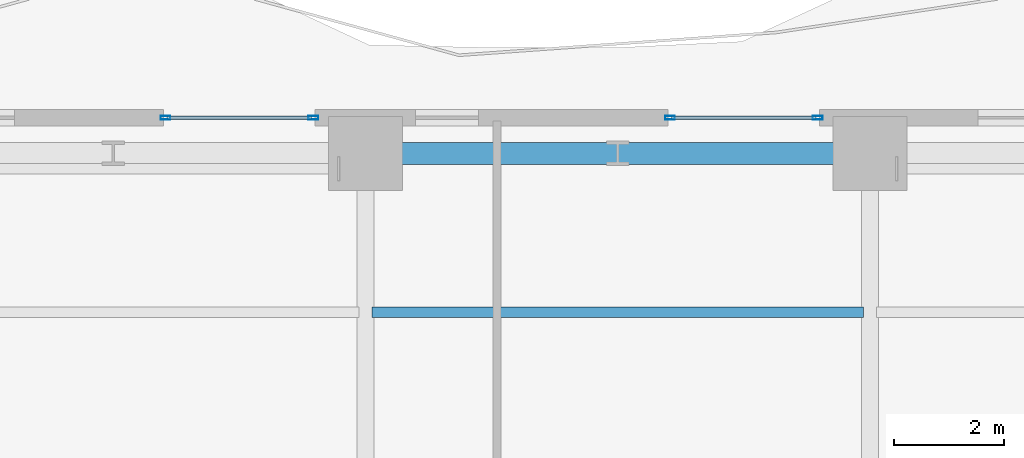
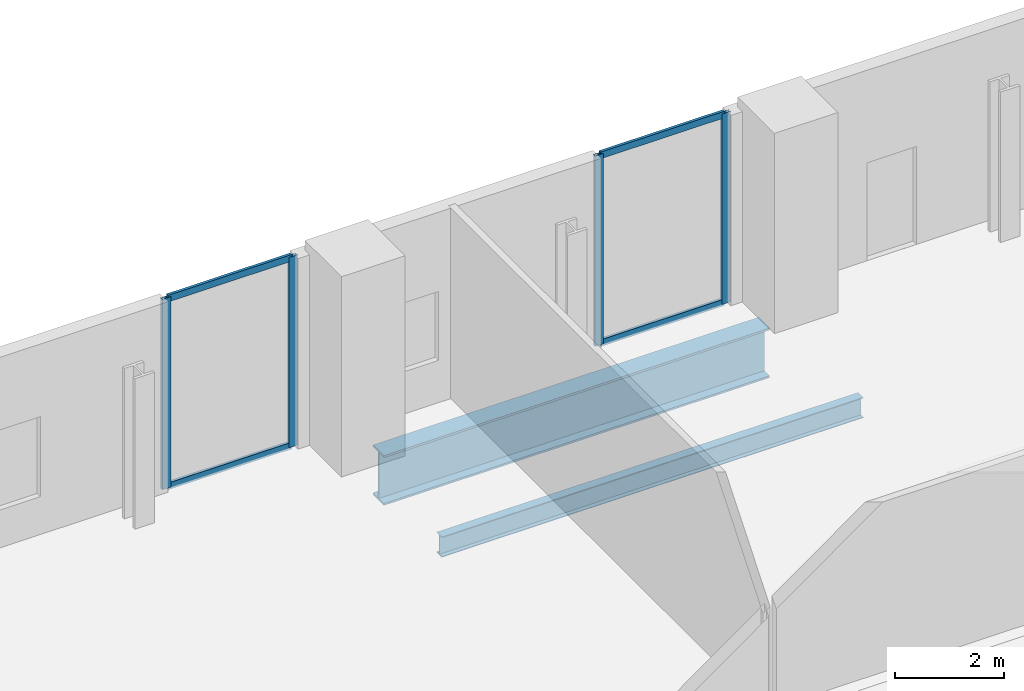
# One storey, part 20 of 33: 8 members, 2 beams, 2 elements without a shape of their own.
"""IFC4 building model written with IfcOpenShell, lengths in metres."""

from ifc_helpers import new_model, si_unit, direction, frame, origin, origin_2d, place, context, subcontext, project, spatial, hollow_rectangle, i_section, extrude, material, layer, layer_set, material_profile, profile_set, type_object, element, aggregate, save


model = new_model("IFC4")

# Units and contexts
model_context = context("Model", 3, precision=1e-05, world=origin(), true_north=direction((0.0, 1.0)))
body_context = subcontext(model_context, "Body", "Model", "MODEL_VIEW")
ifc_project = project(units=[si_unit("LENGTHUNIT", "METRE"), si_unit("AREAUNIT", "SQUARE_METRE"), si_unit("VOLUMEUNIT", "CUBIC_METRE"), si_unit("PLANEANGLEUNIT", "RADIAN"), si_unit("MASSUNIT", "GRAM", prefix="KILO")], contexts=[model_context])

# Site, building, storey
site_placement = place(None, origin())
site = spatial("IfcSite", under=ifc_project, at=site_placement, CompositionType="ELEMENT")
building_placement = place(site_placement, origin())
building = spatial("IfcBuilding", under=site, at=building_placement, Name="Zuhayl Quay Hotel", CompositionType="ELEMENT")
storey_placement = place(building_placement, frame((0.0, 0.0, 154.050048828125)))
storey = spatial("IfcBuildingStorey", under=building, at=storey_placement, Name="L39", CompositionType="ELEMENT", Elevation=154.050048828125)

# Beams
ifc_material_1 = material(Name="Steel ASTM A992 Grade 50", Category="steel")
ifc_material_profile_1 = material_profile(ifc_material_1, i_section(OverallWidth=0.18994140625, OverallDepth=0.45703125, WebThickness=0.009033203125, FlangeThickness=0.014404296875, at=origin_2d()), Name="W18X50")
ifc_profile_set_1 = profile_set([ifc_material_profile_1], Name="Steel ASTM A992 Grade 50")
beam_type_1 = type_object("IfcBeamType", Name="BM_J2_W18X50", PredefinedType="JOIST", material=ifc_profile_set_1)
beam_1_placement = place(storey_placement, frame((-4.48095703125, 24.85009765625, -0.448486328125), z_axis=(1.0, 0.0, 0.0), x_axis=(0.0, 1.0, 0.0)))
element("IfcBeam", 1, at=beam_1_placement, inside=storey, type_object=beam_type_1, Name="L39 Floor Beam FJ_L39_4_2", PredefinedType="JOIST", context=body_context, shape_type="SweptSolid", body=[
    extrude(i_section(OverallWidth=0.18994140625, OverallDepth=0.45703125, WebThickness=0.009033203125, FlangeThickness=0.014404296875, at=origin_2d()), origin(), (0.0, 0.0, 1.0), 8.9619140625),
])
ifc_material_2 = material(Name="Steel ASTM A913 Grade 65", Category="steel")
ifc_material_profile_2 = material_profile(ifc_material_2, i_section(OverallWidth=0.404052734375, OverallDepth=1.117919921875, WebThickness=0.026123046875, FlangeThickness=0.044921875, at=origin_2d()), Name="W44X335")
ifc_profile_set_2 = profile_set([ifc_material_profile_2], Name="Steel ASTM A913 Grade 65")
beam_type_2 = type_object("IfcBeamType", Name="BM_TG1_W44X335", PredefinedType="BEAM", material=ifc_profile_set_2)
beam_2_placement = place(storey_placement, frame((4.10009765625, 27.75, -0.779052734375), z_axis=(-1.0, 0.0, 0.0), x_axis=(0.0, -1.0, 0.0)))
element("IfcBeam", 2, at=beam_2_placement, inside=storey, type_object=beam_type_2, Name="L39 Floor Beam RG_L39_08", PredefinedType="BEAM", context=body_context, shape_type="SweptSolid", body=[
    extrude(i_section(OverallWidth=0.404052734375, OverallDepth=1.117919921875, WebThickness=0.026123046875, FlangeThickness=0.044921875, at=origin_2d()), origin(), (0.0, 0.0, 1.0), 8.2001953125),
])

# Curtain wall, members
ifc_material_3 = material(Name="Anodised Aluminium 6063-T6", Category="aluminium")
ifc_layer = layer(ifc_material_3, 0.179931640625, Name="Anodised Aluminium 6063-T6", Category="aluminium")
ifc_layer_set = layer_set([ifc_layer], Name="Anodised Aluminium 6063-T6")
curtain_wall_type = type_object("IfcCurtainWallType", Name="CW_SYS_Z2", PredefinedType="USERDEFINED", material=ifc_layer_set)
curtain_wall_1_placement = place(storey_placement, origin())
curtain_wall_1 = element("IfcCurtainWall", 3, at=curtain_wall_1_placement, inside=storey, type_object=curtain_wall_type, Name="L39 Curtain Wall ENV_L39_N_CW2", ObjectType="UNITISED CURTAIN WALL", PredefinedType="USERDEFINED")
ifc_material_4 = material(Name="Black-anodised aluminium 6063-T6", Category="aluminium")
ifc_material_profile_3 = material_profile(ifc_material_4, hollow_rectangle(XDim=0.06494140625, YDim=0.179931640625, WallThickness=0.00341796875, at=origin_2d()), Name="ALU180X65")
ifc_profile_set_3 = profile_set([ifc_material_profile_3], Name="Black-anodised aluminium 6063-T6")
member_type_1 = type_object("IfcMemberType", Name="MB_CW_MUL_180", PredefinedType="MULLION", material=ifc_profile_set_3)
member_1_placement = place(storey_placement, frame((-8.24755859375, 28.39990234375, 0.0), z_axis=(0.0, 0.0, 1.0), x_axis=(0.0, 1.0, 0.0)))
member_1 = element("IfcMember", 4, at=member_1_placement, type_object=member_type_1, Name="CW-Z2 mullion 1", PredefinedType="MULLION", context=body_context, shape_type="SweptSolid", body=[
    extrude(hollow_rectangle(XDim=0.06494140625, YDim=0.179931640625, WallThickness=0.00341796875, at=origin_2d()), origin(), (0.0, 0.0, 1.0), 4.280029296875),
])
member_2_placement = place(storey_placement, frame((-5.552490234375, 28.39990234375, 0.0), z_axis=(0.0, 0.0, 1.0), x_axis=(0.0, 1.0, 0.0)))
member_2 = element("IfcMember", 5, at=member_2_placement, type_object=member_type_1, Name="CW-Z2 mullion 2", PredefinedType="MULLION", context=body_context, shape_type="SweptSolid", body=[
    extrude(hollow_rectangle(XDim=0.06494140625, YDim=0.179931640625, WallThickness=0.00341796875, at=origin_2d()), origin(), (0.0, 0.0, 1.0), 4.280029296875),
])

curtain_wall_2_placement = place(storey_placement, origin())
curtain_wall_2 = element("IfcCurtainWall", 6, at=curtain_wall_2_placement, inside=storey, type_object=curtain_wall_type, Name="L39 Curtain Wall ENV_L39_N_CW3", ObjectType="UNITISED CURTAIN WALL", PredefinedType="USERDEFINED")
member_3_placement = place(storey_placement, frame((0.952392578125, 28.39990234375, 0.0), z_axis=(0.0, 0.0, 1.0), x_axis=(0.0, 1.0, 0.0)))
member_3 = element("IfcMember", 7, at=member_3_placement, type_object=member_type_1, Name="CW-Z2 mullion 1", PredefinedType="MULLION", context=body_context, shape_type="SweptSolid", body=[
    extrude(hollow_rectangle(XDim=0.06494140625, YDim=0.179931640625, WallThickness=0.00341796875, at=origin_2d()), origin(), (0.0, 0.0, 1.0), 4.280029296875),
])
member_4_placement = place(storey_placement, frame((3.6474609375, 28.39990234375, 0.0), z_axis=(0.0, 0.0, 1.0), x_axis=(0.0, 1.0, 0.0)))
member_4 = element("IfcMember", 8, at=member_4_placement, type_object=member_type_1, Name="CW-Z2 mullion 2", PredefinedType="MULLION", context=body_context, shape_type="SweptSolid", body=[
    extrude(hollow_rectangle(XDim=0.06494140625, YDim=0.179931640625, WallThickness=0.00341796875, at=origin_2d()), origin(), (0.0, 0.0, 1.0), 4.280029296875),
])

# Member
ifc_material_profile_4 = material_profile(ifc_material_4, hollow_rectangle(XDim=0.06005859375, YDim=0.14990234375, WallThickness=0.00341796875, at=origin_2d()), Name="ALU150X60")
ifc_profile_set_4 = profile_set([ifc_material_profile_4], Name="Black-anodised aluminium 6063-T6")
member_type_2 = type_object("IfcMemberType", Name="MB_CW_TRN_150", PredefinedType="USERDEFINED", material=ifc_profile_set_4)
member_5_placement = place(storey_placement, frame((-8.215087890625, 28.39990234375, 0.030029296875), z_axis=(1.0, 0.0, 0.0), x_axis=(0.0, 1.0, 0.0)))
member_5 = element("IfcMember", 9, at=member_5_placement, type_object=member_type_2, Name="CW-Z2 transom 1.1", ObjectType="TRANSOM", PredefinedType="USERDEFINED", context=body_context, shape_type="SweptSolid", body=[
    extrude(hollow_rectangle(XDim=0.06005859375, YDim=0.14990234375, WallThickness=0.00341796875, at=origin_2d()), origin(), (0.0, 0.0, 1.0), 2.630126953125),
])

member_6_placement = place(storey_placement, frame((-8.215087890625, 28.39990234375, 4.25), z_axis=(1.0, 0.0, 0.0), x_axis=(0.0, 1.0, 0.0)))
member_6 = element("IfcMember", 10, at=member_6_placement, type_object=member_type_2, Name="CW-Z2 transom 1.2", ObjectType="TRANSOM", PredefinedType="USERDEFINED", context=body_context, shape_type="SweptSolid", body=[
    extrude(hollow_rectangle(XDim=0.06005859375, YDim=0.14990234375, WallThickness=0.00341796875, at=origin_2d()), origin(), (0.0, 0.0, 1.0), 2.630126953125),
])

aggregate(curtain_wall_1, [member_1, member_2, member_5, member_6])

member_7_placement = place(storey_placement, frame((0.985107421875, 28.39990234375, 0.030029296875), z_axis=(1.0, 0.0, 0.0), x_axis=(0.0, 1.0, 0.0)))
member_7 = element("IfcMember", 11, at=member_7_placement, type_object=member_type_2, Name="CW-Z2 transom 1.1", ObjectType="TRANSOM", PredefinedType="USERDEFINED", context=body_context, shape_type="SweptSolid", body=[
    extrude(hollow_rectangle(XDim=0.06005859375, YDim=0.14990234375, WallThickness=0.00341796875, at=origin_2d()), origin(), (0.0, 0.0, 1.0), 2.6298828125),
])

member_8_placement = place(storey_placement, frame((0.985107421875, 28.39990234375, 4.25), z_axis=(1.0, 0.0, 0.0), x_axis=(0.0, 1.0, 0.0)))
member_8 = element("IfcMember", 12, at=member_8_placement, type_object=member_type_2, Name="CW-Z2 transom 1.2", ObjectType="TRANSOM", PredefinedType="USERDEFINED", context=body_context, shape_type="SweptSolid", body=[
    extrude(hollow_rectangle(XDim=0.06005859375, YDim=0.14990234375, WallThickness=0.00341796875, at=origin_2d()), origin(), (0.0, 0.0, 1.0), 2.6298828125),
])

aggregate(curtain_wall_2, [member_3, member_4, member_7, member_8])

save(model, "model.ifc")
